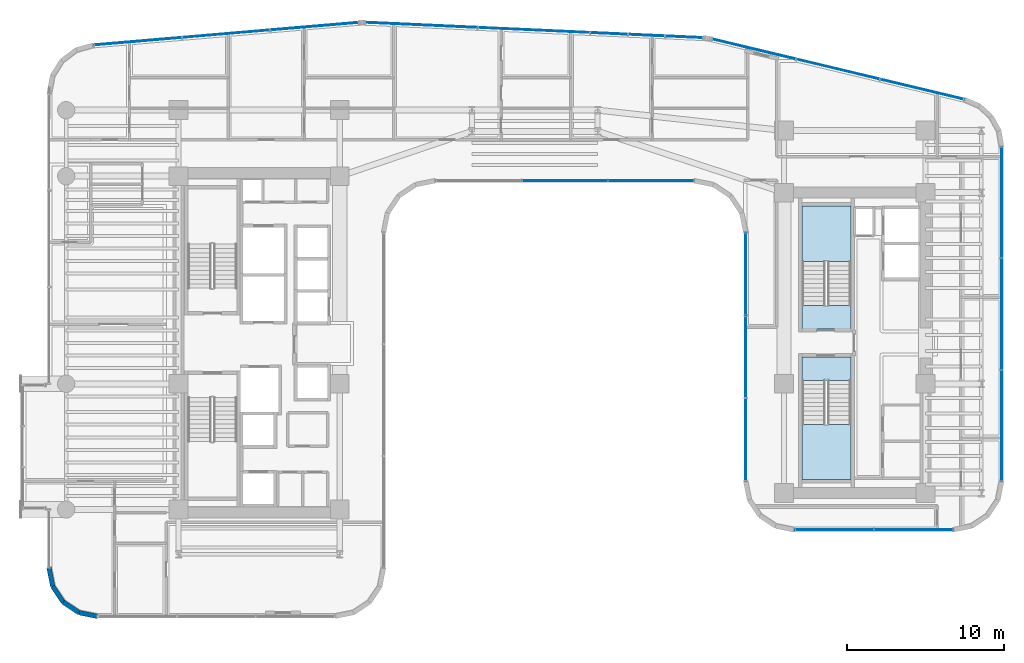
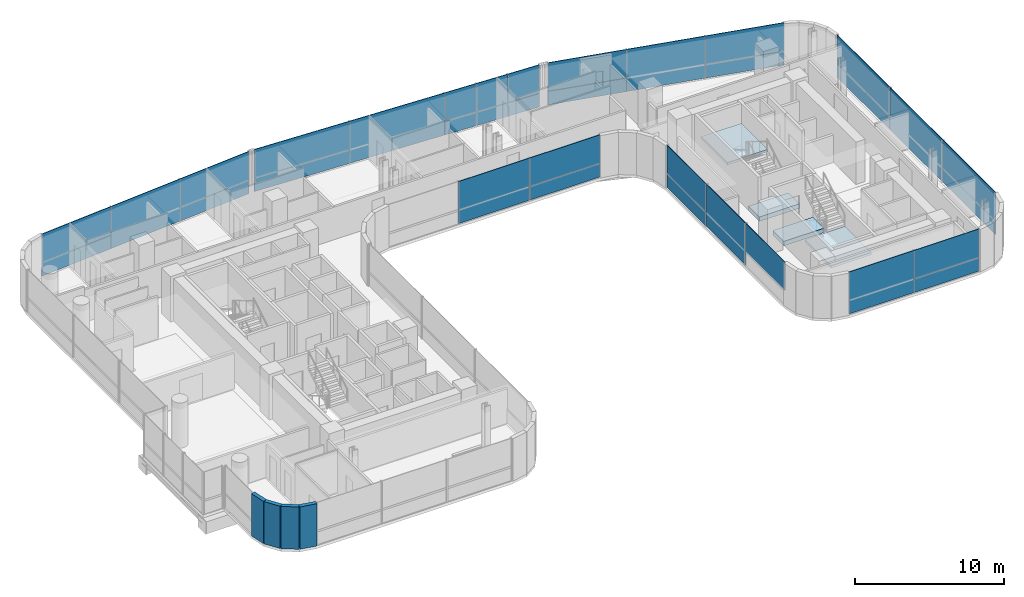
# One storey, part 27 of 38: 34 plates, 4 slabs, 4 walls, 9 elements without a shape of their own.
"""IFC4 building model written with IfcOpenShell, lengths in metres."""

from ifc_helpers import new_model, si_unit, direction, frame, frame_2d, origin, origin_2d, place, context, subcontext, project, spatial, polyline, rectangle, outline, extrude, source, transform, mapped, material, layer, layer_set, type_object, element, aggregate, save


model = new_model("IFC4")

# Units and contexts
model_context = context("Model", 3, precision=1e-05, world=origin(), true_north=direction((0.0, 1.0)))
body_context = subcontext(model_context, "Body", "Model", "MODEL_VIEW")
ifc_project = project(units=[si_unit("LENGTHUNIT", "METRE"), si_unit("AREAUNIT", "SQUARE_METRE"), si_unit("VOLUMEUNIT", "CUBIC_METRE"), si_unit("PLANEANGLEUNIT", "RADIAN"), si_unit("MASSUNIT", "GRAM", prefix="KILO")], contexts=[model_context])

# Site, building, storey
site_placement = place(None, origin())
site = spatial("IfcSite", under=ifc_project, at=site_placement, CompositionType="ELEMENT")
building_placement = place(site_placement, origin())
building = spatial("IfcBuilding", under=site, at=building_placement, Name="Valdorenza Pilgrim Sanctuary Tower", CompositionType="ELEMENT")
storey_placement = place(building_placement, frame((0.0, 0.0, 131.60009765625)))
storey = spatial("IfcBuildingStorey", under=building, at=storey_placement, Name="L33", CompositionType="ELEMENT", Elevation=131.60009765625)

# Stair, slab
ifc_material_1 = material(Name="Concrete C40/50", Category="concrete")
stair_type = type_object("IfcStairType", Name="STR-DOG-CORE", PredefinedType="HALF_TURN_STAIR", material=ifc_material_1)
stair_1_placement = place(storey_placement, origin())
stair_1 = element("IfcStair", 1, at=stair_1_placement, inside=storey, type_object=stair_type, Name="L33 ST-B1", PredefinedType="HALF_TURN_STAIR")
ifc_layer_1 = layer(ifc_material_1, 0.199951171875, Name="Concrete C40/50")
ifc_layer_set_1 = layer_set([ifc_layer_1], Name="Concrete C40/50")
slab_type_1 = type_object("IfcSlabType", Name="SLAB-STL-200", PredefinedType="LANDING", material=ifc_layer_set_1)
slab_1_placement = place(storey_placement, frame((0.0, 0.0, 1.64990234375)))
slab_1 = element("IfcSlab", 2, at=slab_1_placement, type_object=slab_type_1, Name="ST-B1 landing 1", PredefinedType="LANDING", context=body_context, shape_type="SweptSolid", body=[
    extrude(outline(polyline([(20.110107421875, 5.179931640625), (20.110107421875, 8.699951171875), (17.0, 8.699951171875), (17.0, 5.179931640625), (20.110107421875, 5.179931640625)])), origin(), (0.0, 0.0, 1.0), 0.199951171875),
])
aggregate(stair_1, [slab_1])

stair_2_placement = place(storey_placement, origin())
stair_2 = element("IfcStair", 3, at=stair_2_placement, inside=storey, type_object=stair_type, Name="L33 ST-B2", PredefinedType="HALF_TURN_STAIR")
slab_2_placement = place(storey_placement, frame((0.0, 0.0, 1.64990234375)))
slab_2 = element("IfcSlab", 4, at=slab_2_placement, type_object=slab_type_1, Name="ST-B2 landing 1", PredefinedType="LANDING", context=body_context, shape_type="SweptSolid", body=[
    extrude(outline(polyline([(17.0, -5.179931640625), (17.0, -8.699951171875), (20.110107421875, -8.699951171875), (20.110107421875, -5.179931640625), (17.0, -5.179931640625)])), origin(), (0.0, 0.0, 1.0), 0.199951171875),
])
aggregate(stair_2, [slab_2])

# Slabs
ifc_material_2 = material(Name="Concrete C50/60", Category="concrete")
ifc_layer_2 = layer(ifc_material_2, 0.39990234375, Name="Concrete C50/60")
ifc_layer_set_2 = layer_set([ifc_layer_2], Name="Concrete C50/60")
slab_type_2 = type_object("IfcSlabType", Name="SLAB-TRF-400", PredefinedType="FLOOR", material=ifc_layer_set_2)
slab_3_placement = place(storey_placement, frame((0.0, 0.0, -0.360107421875)))
element("IfcSlab", 5, at=slab_3_placement, inside=storey, type_object=slab_type_2, Name="L33 ST-B1 Structural Stair Landing Bearing Slab", PredefinedType="FLOOR", context=body_context, shape_type="SweptSolid", body=[
    extrude(outline(polyline([(17.0, 0.89990234375), (20.110107421875, 0.89990234375), (20.110107421875, 2.385009765625), (17.0, 2.385009765625), (17.0, 0.89990234375)])), origin(), (0.0, 0.0, 1.0), 0.360107421875),
])
slab_4_placement = place(storey_placement, frame((0.0, 0.0, -0.360107421875)))
element("IfcSlab", 6, at=slab_4_placement, inside=storey, type_object=slab_type_2, Name="L33 ST-B2 Structural Stair Landing Bearing Slab", PredefinedType="FLOOR", context=body_context, shape_type="SweptSolid", body=[
    extrude(outline(polyline([(17.0, -2.385009765625), (20.110107421875, -2.385009765625), (20.110107421875, -0.89990234375), (17.0, -0.89990234375), (17.0, -2.385009765625)])), origin(), (0.0, 0.0, 1.0), 0.360107421875),
])

# Curtain wall, plates
ifc_material_3 = material(Name="Curtain-wall IGU glazing", Category="glass")
curtain_wall_type_1 = type_object("IfcCurtainWallType", Name="CW-SYS-02", PredefinedType="NOTDEFINED", material=ifc_material_3)
curtain_wall_1_placement = place(storey_placement, origin())
curtain_wall_1 = element("IfcCurtainWall", 7, at=curtain_wall_1_placement, inside=storey, type_object=curtain_wall_type_1, Name="L33 Curtain Wall CW-L33-1-36", PredefinedType="NOTDEFINED")
ifc_material_4 = material(Name="Honed travertine limestone", Category="masonry")
ifc_layer_3 = layer(ifc_material_4, 0.050048828125, Name="Honed travertine limestone")
ifc_layer_set_3 = layer_set([ifc_layer_3], Name="Honed travertine limestone")
plate_type_1 = type_object("IfcPlateType", Name="CW-SPN-TRV", PredefinedType="USERDEFINED", material=ifc_layer_set_3)
shared_shape_1 = source(origin(), body_context, "Body", "SweptSolid", [
    extrude(rectangle(XDim=5.453857421875, YDim=0.06005859375, at=origin_2d()), origin(), (0.0, 0.0, 1.0), 1.10009765625),
])
plate_1_placement = place(storey_placement, frame((7.373779296875, 10.31005859375, 0.009765625), z_axis=(0.0, 0.0, 1.0), x_axis=(-1.0, 0.0, 0.0)))
plate_1 = element("IfcPlate", 8, at=plate_1_placement, type_object=plate_type_1, Name="CW-L33-1-36 Travertine Spandrel 1", ObjectType="SPANDREL", PredefinedType="USERDEFINED", context=body_context, shape_type="MappedRepresentation", body=[
    mapped(shared_shape_1, transform((0.0, 0.0, 0.0), x_axis=(1.0, 0.0, 0.0), y_axis=(0.0, 1.0, 0.0), z_axis=(0.0, 0.0, 1.0), scale=1.0)),
])
ifc_material_5 = material(Name="Ceramic-fritted low-E IGU glazing", Category="glass")
ifc_layer_4 = layer(ifc_material_5, 0.035888671875, Name="Ceramic-fritted low-E IGU glazing")
ifc_layer_set_4 = layer_set([ifc_layer_4], Name="Ceramic-fritted low-E IGU glazing")
plate_type_2 = type_object("IfcPlateType", Name="CW-GLZ-IGU", PredefinedType="USERDEFINED", material=ifc_layer_set_4)
shared_shape_2 = source(origin(), body_context, "Body", "SweptSolid", [
    extrude(rectangle(XDim=5.453857421875, YDim=0.050048828125, at=origin_2d()), origin(), (0.0, 0.0, 1.0), 2.320068359375),
])
plate_2_placement = place(storey_placement, frame((7.373779296875, 10.31005859375, 1.1298828125), z_axis=(0.0, 0.0, 1.0), x_axis=(-1.0, 0.0, 0.0)))
plate_2 = element("IfcPlate", 9, at=plate_2_placement, type_object=plate_type_2, Name="CW-L33-1-36 Facade Panel 1", ObjectType="GLAZING", PredefinedType="USERDEFINED", context=body_context, shape_type="MappedRepresentation", body=[
    mapped(shared_shape_2, transform((0.0, 0.0, 0.0), x_axis=(1.0, 0.0, 0.0), y_axis=(0.0, 1.0, 0.0), z_axis=(0.0, 0.0, 1.0), scale=1.0)),
])
shared_shape_3 = source(origin(), body_context, "Body", "SweptSolid", [
    extrude(rectangle(XDim=5.453857421875, YDim=0.050048828125, at=origin_2d()), origin(), (0.0, 0.0, 1.0), 3.43994140625),
])
plate_3_placement = place(storey_placement, frame((1.89990234375, 10.31005859375, 0.010009765625), z_axis=(0.0, 0.0, 1.0), x_axis=(-1.0, 0.0, 0.0)))
plate_3 = element("IfcPlate", 10, at=plate_3_placement, type_object=plate_type_2, Name="CW-L33-1-36 Full-Height Facade Panel 2", ObjectType="GLAZING", PredefinedType="USERDEFINED", context=body_context, shape_type="MappedRepresentation", body=[
    mapped(shared_shape_3, transform((0.0, 0.0, 0.0), x_axis=(1.0, 0.0, 0.0), y_axis=(0.0, 1.0, 0.0), z_axis=(0.0, 0.0, 1.0), scale=1.0)),
])
aggregate(curtain_wall_1, [plate_1, plate_2, plate_3])

curtain_wall_2_placement = place(storey_placement, origin())
curtain_wall_2 = element("IfcCurtainWall", 11, at=curtain_wall_2_placement, inside=storey, type_object=curtain_wall_type_1, Name="L33 Curtain Wall CW-L33-1-6", PredefinedType="NOTDEFINED")
shared_shape_4 = source(origin(), body_context, "Body", "SweptSolid", [
    extrude(rectangle(XDim=5.61767578125, YDim=0.06005859375, at=origin_2d()), origin(), (0.0, 0.0, 1.0), 1.10009765625),
])
plate_4_placement = place(storey_placement, frame((-25.242919921875, 19.178955078125, 0.009765625), z_axis=(0.0, 0.0, 1.0), x_axis=(0.99640764237, 0.084686541006, 0.0)))
plate_4 = element("IfcPlate", 12, at=plate_4_placement, type_object=plate_type_1, Name="CW-L33-1-6 Travertine Spandrel 1", ObjectType="SPANDREL", PredefinedType="USERDEFINED", context=body_context, shape_type="MappedRepresentation", body=[
    mapped(shared_shape_4, transform((0.0, 0.0, 0.0), x_axis=(1.0, 0.0, 0.0), y_axis=(0.0, 1.0, 0.0), z_axis=(0.0, 0.0, 1.0), scale=1.0)),
])
plate_5_placement = place(storey_placement, frame((-14.008056640625, 20.1337890625, 0.009765625), z_axis=(0.0, 0.0, 1.0), x_axis=(0.99640764237, 0.084686541006, 0.0)))
plate_5 = element("IfcPlate", 13, at=plate_5_placement, type_object=plate_type_1, Name="CW-L33-1-6 Travertine Spandrel 3", ObjectType="SPANDREL", PredefinedType="USERDEFINED", context=body_context, shape_type="MappedRepresentation", body=[
    mapped(shared_shape_4, transform((0.0, 0.0, 0.0), x_axis=(1.0, 0.0, 0.0), y_axis=(0.0, 1.0, 0.0), z_axis=(0.0, 0.0, 1.0), scale=1.0)),
])

# Curtain wall, plate
curtain_wall_3_placement = place(storey_placement, origin())
curtain_wall_3 = element("IfcCurtainWall", 14, at=curtain_wall_3_placement, inside=storey, type_object=curtain_wall_type_1, Name="L33 Curtain Wall CW-L33-1-11", PredefinedType="NOTDEFINED")
shared_shape_5 = source(origin(), body_context, "Body", "SweptSolid", [
    extrude(rectangle(XDim=7.1494140625, YDim=0.06005859375, at=origin_2d()), origin(), (0.0, 0.0, 1.0), 1.10009765625),
])
plate_6_placement = place(storey_placement, frame((-7.21484375, 20.2177734375, 0.009765625), z_axis=(0.0, 0.0, 1.0), x_axis=(0.998968193221, -0.045415294044, 0.0)))
plate_6 = element("IfcPlate", 15, at=plate_6_placement, type_object=plate_type_1, Name="CW-L33-1-11 Travertine Spandrel 1", ObjectType="SPANDREL", PredefinedType="USERDEFINED", context=body_context, shape_type="MappedRepresentation", body=[
    mapped(shared_shape_5, transform((0.0, 0.0, 0.0), x_axis=(1.0, 0.0, 0.0), y_axis=(0.0, 1.0, 0.0), z_axis=(0.0, 0.0, 1.0), scale=1.0)),
])

# Curtain wall, plates
curtain_wall_type_2 = type_object("IfcCurtainWallType", Name="CW-SYS-03", PredefinedType="NOTDEFINED", material=ifc_material_3)
curtain_wall_4_placement = place(storey_placement, origin())
curtain_wall_4 = element("IfcCurtainWall", 16, at=curtain_wall_4_placement, inside=storey, type_object=curtain_wall_type_2, Name="L33 Curtain Wall CW-L33-1-16", PredefinedType="NOTDEFINED")
shared_shape_6 = source(origin(), body_context, "Body", "SweptSolid", [
    extrude(rectangle(XDim=5.477294921875, YDim=0.06005859375, at=origin_2d()), origin(), (0.0, 0.0, 1.0), 1.10009765625),
])
plate_7_placement = place(storey_placement, frame((13.944580078125, 18.68212890625, 0.009765625), z_axis=(0.0, 0.0, 1.0), x_axis=(0.972528596343, -0.232783438617, 0.0)))
plate_7 = element("IfcPlate", 17, at=plate_7_placement, type_object=plate_type_1, Name="CW-L33-1-16 Travertine Spandrel 1", ObjectType="SPANDREL", PredefinedType="USERDEFINED", context=body_context, shape_type="MappedRepresentation", body=[
    mapped(shared_shape_6, transform((0.0, 0.0, 0.0), x_axis=(1.0, 0.0, 0.0), y_axis=(0.0, 1.0, 0.0), z_axis=(0.0, 0.0, 1.0), scale=1.0)),
])
plate_8_placement = place(storey_placement, frame((24.63720703125, 16.122802734375, 0.009765625), z_axis=(0.0, 0.0, 1.0), x_axis=(0.972528596343, -0.232783438617, 0.0)))
plate_8 = element("IfcPlate", 18, at=plate_8_placement, type_object=plate_type_1, Name="CW-L33-1-16 Travertine Spandrel 3", ObjectType="SPANDREL", PredefinedType="USERDEFINED", context=body_context, shape_type="MappedRepresentation", body=[
    mapped(shared_shape_6, transform((0.0, 0.0, 0.0), x_axis=(1.0, 0.0, 0.0), y_axis=(0.0, 1.0, 0.0), z_axis=(0.0, 0.0, 1.0), scale=1.0)),
])

curtain_wall_5_placement = place(storey_placement, origin())
curtain_wall_5 = element("IfcCurtainWall", 19, at=curtain_wall_5_placement, inside=storey, type_object=curtain_wall_type_2, Name="L33 Curtain Wall CW-L33-1-21", PredefinedType="NOTDEFINED")
shared_shape_7 = source(origin(), body_context, "Body", "SweptSolid", [
    extrude(rectangle(XDim=7.065185546875, YDim=0.06005859375, at=origin_2d()), origin(), (0.0, 0.0, 1.0), 1.10009765625),
])
plate_9_placement = place(storey_placement, frame((29.68994140625, 8.923828125, 0.009765625), z_axis=(0.0, 0.0, 1.0), x_axis=(0.0, -1.0, 0.0)))
plate_9 = element("IfcPlate", 20, at=plate_9_placement, type_object=plate_type_1, Name="CW-L33-1-21 Travertine Spandrel 1", ObjectType="SPANDREL", PredefinedType="USERDEFINED", context=body_context, shape_type="MappedRepresentation", body=[
    mapped(shared_shape_7, transform((0.0, 0.0, 0.0), x_axis=(1.0, 0.0, 0.0), y_axis=(0.0, 1.0, 0.0), z_axis=(0.0, 0.0, 1.0), scale=1.0)),
])
plate_10_placement = place(storey_placement, frame((29.68994140625, -5.24658203125, 0.009765625), z_axis=(0.0, 0.0, 1.0), x_axis=(0.0, -1.0, 0.0)))
plate_10 = element("IfcPlate", 21, at=plate_10_placement, type_object=plate_type_1, Name="CW-L33-1-21 Travertine Spandrel 3", ObjectType="SPANDREL", PredefinedType="USERDEFINED", context=body_context, shape_type="MappedRepresentation", body=[
    mapped(shared_shape_7, transform((0.0, 0.0, 0.0), x_axis=(1.0, 0.0, 0.0), y_axis=(0.0, 1.0, 0.0), z_axis=(0.0, 0.0, 1.0), scale=1.0)),
])

# Curtain wall, plate
curtain_wall_6_placement = place(storey_placement, origin())
curtain_wall_6 = element("IfcCurtainWall", 22, at=curtain_wall_6_placement, inside=storey, type_object=curtain_wall_type_2, Name="L33 Curtain Wall CW-L33-1-26", PredefinedType="NOTDEFINED")
shared_shape_8 = source(origin(), body_context, "Body", "SweptSolid", [
    extrude(rectangle(XDim=5.019287109375, YDim=0.06005859375, at=origin_2d()), origin(), (0.0, 0.0, 1.0), 1.10009765625),
])
plate_11_placement = place(storey_placement, frame((24.069580078125, -11.889892578125, 0.009765625), z_axis=(0.0, 0.0, 1.0), x_axis=(-1.0, 0.0, 0.0)))
plate_11 = element("IfcPlate", 23, at=plate_11_placement, type_object=plate_type_1, Name="CW-L33-1-26 Travertine Spandrel 1", ObjectType="SPANDREL", PredefinedType="USERDEFINED", context=body_context, shape_type="MappedRepresentation", body=[
    mapped(shared_shape_8, transform((0.0, 0.0, 0.0), x_axis=(1.0, 0.0, 0.0), y_axis=(0.0, 1.0, 0.0), z_axis=(0.0, 0.0, 1.0), scale=1.0)),
])

curtain_wall_7_placement = place(storey_placement, origin())
curtain_wall_7 = element("IfcCurtainWall", 24, at=curtain_wall_7_placement, inside=storey, type_object=curtain_wall_type_2, Name="L33 Curtain Wall CW-L33-1-31", PredefinedType="NOTDEFINED")
shared_shape_9 = source(origin(), body_context, "Body", "SweptSolid", [
    extrude(rectangle(XDim=5.24658203125, YDim=0.06005859375, at=origin_2d()), origin(), (0.0, 0.0, 1.0), 1.10009765625),
])
plate_12_placement = place(storey_placement, frame((13.409912109375, 4.37744140625, 0.009765625), z_axis=(0.0, 0.0, 1.0), x_axis=(0.0, 1.0, 0.0)))
plate_12 = element("IfcPlate", 25, at=plate_12_placement, type_object=plate_type_1, Name="CW-L33-1-31 Travertine Spandrel 3", ObjectType="SPANDREL", PredefinedType="USERDEFINED", context=body_context, shape_type="MappedRepresentation", body=[
    mapped(shared_shape_9, transform((0.0, 0.0, 0.0), x_axis=(1.0, 0.0, 0.0), y_axis=(0.0, 1.0, 0.0), z_axis=(0.0, 0.0, 1.0), scale=1.0)),
])

# Plate
shared_shape_10 = source(origin(), body_context, "Body", "SweptSolid", [
    extrude(rectangle(XDim=5.61767578125, YDim=0.050048828125, at=origin_2d()), origin(), (0.0, 0.0, 1.0), 3.43994140625),
])
plate_13_placement = place(storey_placement, frame((-19.62548828125, 19.656494140625, 0.010009765625), z_axis=(0.0, 0.0, 1.0), x_axis=(0.99640764237, 0.084686541006, 0.0)))
plate_13 = element("IfcPlate", 26, at=plate_13_placement, type_object=plate_type_2, Name="CW-L33-1-6 Full-Height Facade Panel 2", ObjectType="GLAZING", PredefinedType="USERDEFINED", context=body_context, shape_type="MappedRepresentation", body=[
    mapped(shared_shape_10, transform((0.0, 0.0, 0.0), x_axis=(1.0, 0.0, 0.0), y_axis=(0.0, 1.0, 0.0), z_axis=(0.0, 0.0, 1.0), scale=1.0)),
])

shared_shape_11 = source(origin(), body_context, "Body", "SweptSolid", [
    extrude(rectangle(XDim=5.61767578125, YDim=0.050048828125, at=origin_2d()), origin(), (0.0, 0.0, 1.0), 2.320068359375),
])
plate_14_placement = place(storey_placement, frame((-25.242919921875, 19.178955078125, 1.1298828125), z_axis=(0.0, 0.0, 1.0), x_axis=(0.99640764237, 0.084686541006, 0.0)))
plate_14 = element("IfcPlate", 27, at=plate_14_placement, type_object=plate_type_2, Name="CW-L33-1-6 Facade Panel 1", ObjectType="GLAZING", PredefinedType="USERDEFINED", context=body_context, shape_type="MappedRepresentation", body=[
    mapped(shared_shape_11, transform((0.0, 0.0, 0.0), x_axis=(1.0, 0.0, 0.0), y_axis=(0.0, 1.0, 0.0), z_axis=(0.0, 0.0, 1.0), scale=1.0)),
])

plate_15_placement = place(storey_placement, frame((-14.008056640625, 20.1337890625, 1.1298828125), z_axis=(0.0, 0.0, 1.0), x_axis=(0.99640764237, 0.084686541006, 0.0)))
plate_15 = element("IfcPlate", 28, at=plate_15_placement, type_object=plate_type_2, Name="CW-L33-1-6 Facade Panel 3", ObjectType="GLAZING", PredefinedType="USERDEFINED", context=body_context, shape_type="MappedRepresentation", body=[
    mapped(shared_shape_11, transform((0.0, 0.0, 0.0), x_axis=(1.0, 0.0, 0.0), y_axis=(0.0, 1.0, 0.0), z_axis=(0.0, 0.0, 1.0), scale=1.0)),
])

aggregate(curtain_wall_2, [plate_4, plate_14, plate_13, plate_5, plate_15])

shared_shape_12 = source(origin(), body_context, "Body", "SweptSolid", [
    extrude(rectangle(XDim=7.1494140625, YDim=0.050048828125, at=origin_2d()), origin(), (0.0, 0.0, 1.0), 3.43994140625),
])
plate_16_placement = place(storey_placement, frame((-0.052978515625, 19.892333984375, 0.010009765625), z_axis=(0.0, 0.0, 1.0), x_axis=(0.998968193221, -0.045415294044, 0.0)))
plate_16 = element("IfcPlate", 29, at=plate_16_placement, type_object=plate_type_2, Name="CW-L33-1-11 Full-Height Facade Panel 2", ObjectType="GLAZING", PredefinedType="USERDEFINED", context=body_context, shape_type="MappedRepresentation", body=[
    mapped(shared_shape_12, transform((0.0, 0.0, 0.0), x_axis=(1.0, 0.0, 0.0), y_axis=(0.0, 1.0, 0.0), z_axis=(0.0, 0.0, 1.0), scale=1.0)),
])

shared_shape_13 = source(origin(), body_context, "Body", "SweptSolid", [
    extrude(rectangle(XDim=7.1494140625, YDim=0.050048828125, at=origin_2d()), origin(), (0.0, 0.0, 1.0), 2.320068359375),
])
plate_17_placement = place(storey_placement, frame((-7.21484375, 20.2177734375, 1.1298828125), z_axis=(0.0, 0.0, 1.0), x_axis=(0.998968193221, -0.045415294044, 0.0)))
plate_17 = element("IfcPlate", 30, at=plate_17_placement, type_object=plate_type_2, Name="CW-L33-1-11 Facade Panel 1", ObjectType="GLAZING", PredefinedType="USERDEFINED", context=body_context, shape_type="MappedRepresentation", body=[
    mapped(shared_shape_13, transform((0.0, 0.0, 0.0), x_axis=(1.0, 0.0, 0.0), y_axis=(0.0, 1.0, 0.0), z_axis=(0.0, 0.0, 1.0), scale=1.0)),
])

shared_shape_14 = source(origin(), body_context, "Body", "SweptSolid", [
    extrude(rectangle(XDim=5.477294921875, YDim=0.050048828125, at=origin_2d()), origin(), (0.0, 0.0, 1.0), 3.43994140625),
])
plate_18_placement = place(storey_placement, frame((19.291015625, 17.40234375, 0.010009765625), z_axis=(0.0, 0.0, 1.0), x_axis=(0.972528596343, -0.232783438617, 0.0)))
plate_18 = element("IfcPlate", 31, at=plate_18_placement, type_object=plate_type_2, Name="CW-L33-1-16 Full-Height Facade Panel 2", ObjectType="GLAZING", PredefinedType="USERDEFINED", context=body_context, shape_type="MappedRepresentation", body=[
    mapped(shared_shape_14, transform((0.0, 0.0, 0.0), x_axis=(1.0, 0.0, 0.0), y_axis=(0.0, 1.0, 0.0), z_axis=(0.0, 0.0, 1.0), scale=1.0)),
])

shared_shape_15 = source(origin(), body_context, "Body", "SweptSolid", [
    extrude(rectangle(XDim=5.477294921875, YDim=0.050048828125, at=origin_2d()), origin(), (0.0, 0.0, 1.0), 2.320068359375),
])
plate_19_placement = place(storey_placement, frame((13.944580078125, 18.68212890625, 1.1298828125), z_axis=(0.0, 0.0, 1.0), x_axis=(0.972528596343, -0.232783438617, 0.0)))
plate_19 = element("IfcPlate", 32, at=plate_19_placement, type_object=plate_type_2, Name="CW-L33-1-16 Facade Panel 1", ObjectType="GLAZING", PredefinedType="USERDEFINED", context=body_context, shape_type="MappedRepresentation", body=[
    mapped(shared_shape_15, transform((0.0, 0.0, 0.0), x_axis=(1.0, 0.0, 0.0), y_axis=(0.0, 1.0, 0.0), z_axis=(0.0, 0.0, 1.0), scale=1.0)),
])

plate_20_placement = place(storey_placement, frame((24.63720703125, 16.122802734375, 1.1298828125), z_axis=(0.0, 0.0, 1.0), x_axis=(0.972528596343, -0.232783438617, 0.0)))
plate_20 = element("IfcPlate", 33, at=plate_20_placement, type_object=plate_type_2, Name="CW-L33-1-16 Facade Panel 3", ObjectType="GLAZING", PredefinedType="USERDEFINED", context=body_context, shape_type="MappedRepresentation", body=[
    mapped(shared_shape_15, transform((0.0, 0.0, 0.0), x_axis=(1.0, 0.0, 0.0), y_axis=(0.0, 1.0, 0.0), z_axis=(0.0, 0.0, 1.0), scale=1.0)),
])

aggregate(curtain_wall_4, [plate_7, plate_19, plate_18, plate_8, plate_20])

shared_shape_16 = source(origin(), body_context, "Body", "SweptSolid", [
    extrude(rectangle(XDim=7.065185546875, YDim=0.050048828125, at=origin_2d()), origin(), (0.0, 0.0, 1.0), 2.320068359375),
])
plate_21_placement = place(storey_placement, frame((29.68994140625, 8.923828125, 1.1298828125), z_axis=(0.0, 0.0, 1.0), x_axis=(0.0, -1.0, 0.0)))
plate_21 = element("IfcPlate", 34, at=plate_21_placement, type_object=plate_type_2, Name="CW-L33-1-21 Facade Panel 1", ObjectType="GLAZING", PredefinedType="USERDEFINED", context=body_context, shape_type="MappedRepresentation", body=[
    mapped(shared_shape_16, transform((0.0, 0.0, 0.0), x_axis=(1.0, 0.0, 0.0), y_axis=(0.0, 1.0, 0.0), z_axis=(0.0, 0.0, 1.0), scale=1.0)),
])

plate_22_placement = place(storey_placement, frame((29.68994140625, -5.24658203125, 1.1298828125), z_axis=(0.0, 0.0, 1.0), x_axis=(0.0, -1.0, 0.0)))
plate_22 = element("IfcPlate", 35, at=plate_22_placement, type_object=plate_type_2, Name="CW-L33-1-21 Facade Panel 3", ObjectType="GLAZING", PredefinedType="USERDEFINED", context=body_context, shape_type="MappedRepresentation", body=[
    mapped(shared_shape_16, transform((0.0, 0.0, 0.0), x_axis=(1.0, 0.0, 0.0), y_axis=(0.0, 1.0, 0.0), z_axis=(0.0, 0.0, 1.0), scale=1.0)),
])

shared_shape_17 = source(origin(), body_context, "Body", "SweptSolid", [
    extrude(rectangle(XDim=7.065185546875, YDim=0.050048828125, at=origin_2d()), origin(), (0.0, 0.0, 1.0), 3.43994140625),
])
plate_23_placement = place(storey_placement, frame((29.68994140625, 1.838623046875, 0.010009765625), z_axis=(0.0, 0.0, 1.0), x_axis=(0.0, -1.0, 0.0)))
plate_23 = element("IfcPlate", 36, at=plate_23_placement, type_object=plate_type_2, Name="CW-L33-1-21 Full-Height Facade Panel 2", ObjectType="GLAZING", PredefinedType="USERDEFINED", context=body_context, shape_type="MappedRepresentation", body=[
    mapped(shared_shape_17, transform((0.0, 0.0, 0.0), x_axis=(1.0, 0.0, 0.0), y_axis=(0.0, 1.0, 0.0), z_axis=(0.0, 0.0, 1.0), scale=1.0)),
])

aggregate(curtain_wall_5, [plate_9, plate_21, plate_23, plate_10, plate_22])

shared_shape_18 = source(origin(), body_context, "Body", "SweptSolid", [
    extrude(rectangle(XDim=5.019287109375, YDim=0.050048828125, at=origin_2d()), origin(), (0.0, 0.0, 1.0), 2.320068359375),
])
plate_24_placement = place(storey_placement, frame((24.069580078125, -11.889892578125, 1.1298828125), z_axis=(0.0, 0.0, 1.0), x_axis=(-1.0, 0.0, 0.0)))
plate_24 = element("IfcPlate", 37, at=plate_24_placement, type_object=plate_type_2, Name="CW-L33-1-26 Facade Panel 1", ObjectType="GLAZING", PredefinedType="USERDEFINED", context=body_context, shape_type="MappedRepresentation", body=[
    mapped(shared_shape_18, transform((0.0, 0.0, 0.0), x_axis=(1.0, 0.0, 0.0), y_axis=(0.0, 1.0, 0.0), z_axis=(0.0, 0.0, 1.0), scale=1.0)),
])

shared_shape_19 = source(origin(), body_context, "Body", "SweptSolid", [
    extrude(rectangle(XDim=5.019287109375, YDim=0.050048828125, at=origin_2d()), origin(), (0.0, 0.0, 1.0), 3.43994140625),
])
plate_25_placement = place(storey_placement, frame((19.030517578125, -11.889892578125, 0.010009765625), z_axis=(0.0, 0.0, 1.0), x_axis=(-1.0, 0.0, 0.0)))
plate_25 = element("IfcPlate", 38, at=plate_25_placement, type_object=plate_type_2, Name="CW-L33-1-26 Full-Height Facade Panel 2", ObjectType="GLAZING", PredefinedType="USERDEFINED", context=body_context, shape_type="MappedRepresentation", body=[
    mapped(shared_shape_19, transform((0.0, 0.0, 0.0), x_axis=(1.0, 0.0, 0.0), y_axis=(0.0, 1.0, 0.0), z_axis=(0.0, 0.0, 1.0), scale=1.0)),
])

aggregate(curtain_wall_6, [plate_11, plate_24, plate_25])

shared_shape_20 = source(origin(), body_context, "Body", "SweptSolid", [
    extrude(rectangle(XDim=5.24658203125, YDim=0.050048828125, at=origin_2d()), origin(), (0.0, 0.0, 1.0), 2.320068359375),
])
plate_26_placement = place(storey_placement, frame((13.409912109375, -6.156005859375, 1.1298828125), z_axis=(0.0, 0.0, 1.0), x_axis=(0.0, 1.0, 0.0)))
plate_26 = element("IfcPlate", 39, at=plate_26_placement, type_object=plate_type_2, Name="CW-L33-1-31 Facade Panel 1", ObjectType="GLAZING", PredefinedType="USERDEFINED", context=body_context, shape_type="MappedRepresentation", body=[
    mapped(shared_shape_20, transform((0.0, 0.0, 0.0), x_axis=(1.0, 0.0, 0.0), y_axis=(0.0, 1.0, 0.0), z_axis=(0.0, 0.0, 1.0), scale=1.0)),
])

plate_27_placement = place(storey_placement, frame((13.409912109375, 4.37744140625, 1.1298828125), z_axis=(0.0, 0.0, 1.0), x_axis=(0.0, 1.0, 0.0)))
plate_27 = element("IfcPlate", 40, at=plate_27_placement, type_object=plate_type_2, Name="CW-L33-1-31 Facade Panel 3", ObjectType="GLAZING", PredefinedType="USERDEFINED", context=body_context, shape_type="MappedRepresentation", body=[
    mapped(shared_shape_20, transform((0.0, 0.0, 0.0), x_axis=(1.0, 0.0, 0.0), y_axis=(0.0, 1.0, 0.0), z_axis=(0.0, 0.0, 1.0), scale=1.0)),
])

shared_shape_21 = source(origin(), body_context, "Body", "SweptSolid", [
    extrude(rectangle(XDim=5.24658203125, YDim=0.050048828125, at=origin_2d()), origin(), (0.0, 0.0, 1.0), 3.43994140625),
])
plate_28_placement = place(storey_placement, frame((13.409912109375, -0.88916015625, 0.010009765625), z_axis=(0.0, 0.0, 1.0), x_axis=(0.0, 1.0, 0.0)))
plate_28 = element("IfcPlate", 41, at=plate_28_placement, type_object=plate_type_2, Name="CW-L33-1-31 Full-Height Facade Panel 2", ObjectType="GLAZING", PredefinedType="USERDEFINED", context=body_context, shape_type="MappedRepresentation", body=[
    mapped(shared_shape_21, transform((0.0, 0.0, 0.0), x_axis=(1.0, 0.0, 0.0), y_axis=(0.0, 1.0, 0.0), z_axis=(0.0, 0.0, 1.0), scale=1.0)),
])

aggregate(curtain_wall_7, [plate_26, plate_28, plate_12, plate_27])

shared_shape_22 = source(origin(), body_context, "Body", "SweptSolid", [
    extrude(rectangle(XDim=2.363037109375, YDim=0.050048828125, at=origin_2d()), origin(), (0.0, 0.0, 1.0), 2.320068359375),
])
plate_29_placement = place(storey_placement, frame((4.728515625, 19.675048828125, 1.1298828125), z_axis=(0.0, 0.0, 1.0), x_axis=(0.998968193221, -0.045415294044, 0.0)))
plate_29 = element("IfcPlate", 42, at=plate_29_placement, type_object=plate_type_2, Name="CW-L33-1-11 Facade Panel 3 Sub 1", ObjectType="GLAZING", PredefinedType="USERDEFINED", context=body_context, shape_type="MappedRepresentation", body=[
    mapped(shared_shape_22, transform((0.0, 0.0, 0.0), x_axis=(1.0, 0.0, 0.0), y_axis=(0.0, 1.0, 0.0), z_axis=(0.0, 0.0, 1.0), scale=1.0)),
])

plate_30_placement = place(storey_placement, frame((7.10888671875, 19.56689453125, 1.1298828125), z_axis=(0.0, 0.0, 1.0), x_axis=(0.998968193221, -0.045415294044, 0.0)))
plate_30 = element("IfcPlate", 43, at=plate_30_placement, type_object=plate_type_2, Name="CW-L33-1-11 Facade Panel 3 Sub 2", ObjectType="GLAZING", PredefinedType="USERDEFINED", context=body_context, shape_type="MappedRepresentation", body=[
    mapped(shared_shape_22, transform((0.0, 0.0, 0.0), x_axis=(1.0, 0.0, 0.0), y_axis=(0.0, 1.0, 0.0), z_axis=(0.0, 0.0, 1.0), scale=1.0)),
])

plate_31_placement = place(storey_placement, frame((9.489501953125, 19.45849609375, 1.1298828125), z_axis=(0.0, 0.0, 1.0), x_axis=(0.998968193221, -0.045415294044, 0.0)))
plate_31 = element("IfcPlate", 44, at=plate_31_placement, type_object=plate_type_2, Name="CW-L33-1-11 Facade Panel 3 Sub 3", ObjectType="GLAZING", PredefinedType="USERDEFINED", context=body_context, shape_type="MappedRepresentation", body=[
    mapped(shared_shape_22, transform((0.0, 0.0, 0.0), x_axis=(1.0, 0.0, 0.0), y_axis=(0.0, 1.0, 0.0), z_axis=(0.0, 0.0, 1.0), scale=1.0)),
])

shared_shape_23 = source(origin(), body_context, "Body", "SweptSolid", [
    extrude(rectangle(XDim=2.363037109375, YDim=0.06005859375, at=origin_2d()), origin(), (0.0, 0.0, 1.0), 1.10009765625),
])
plate_32_placement = place(storey_placement, frame((4.728515625, 19.675048828125, 0.009765625), z_axis=(0.0, 0.0, 1.0), x_axis=(0.998968193221, -0.045415294044, 0.0)))
plate_32 = element("IfcPlate", 45, at=plate_32_placement, type_object=plate_type_1, Name="CW-L33-1-11 Travertine Spandrel 3 Sub 1", ObjectType="SPANDREL", PredefinedType="USERDEFINED", context=body_context, shape_type="MappedRepresentation", body=[
    mapped(shared_shape_23, transform((0.0, 0.0, 0.0), x_axis=(1.0, 0.0, 0.0), y_axis=(0.0, 1.0, 0.0), z_axis=(0.0, 0.0, 1.0), scale=1.0)),
])

plate_33_placement = place(storey_placement, frame((7.10888671875, 19.56689453125, 0.009765625), z_axis=(0.0, 0.0, 1.0), x_axis=(0.998968193221, -0.045415294044, 0.0)))
plate_33 = element("IfcPlate", 46, at=plate_33_placement, type_object=plate_type_1, Name="CW-L33-1-11 Travertine Spandrel 3 Sub 2", ObjectType="SPANDREL", PredefinedType="USERDEFINED", context=body_context, shape_type="MappedRepresentation", body=[
    mapped(shared_shape_23, transform((0.0, 0.0, 0.0), x_axis=(1.0, 0.0, 0.0), y_axis=(0.0, 1.0, 0.0), z_axis=(0.0, 0.0, 1.0), scale=1.0)),
])

plate_34_placement = place(storey_placement, frame((9.489501953125, 19.45849609375, 0.009765625), z_axis=(0.0, 0.0, 1.0), x_axis=(0.998968193221, -0.045415294044, 0.0)))
plate_34 = element("IfcPlate", 47, at=plate_34_placement, type_object=plate_type_1, Name="CW-L33-1-11 Travertine Spandrel 3 Sub 3", ObjectType="SPANDREL", PredefinedType="USERDEFINED", context=body_context, shape_type="MappedRepresentation", body=[
    mapped(shared_shape_23, transform((0.0, 0.0, 0.0), x_axis=(1.0, 0.0, 0.0), y_axis=(0.0, 1.0, 0.0), z_axis=(0.0, 0.0, 1.0), scale=1.0)),
])

aggregate(curtain_wall_3, [plate_6, plate_17, plate_16, plate_29, plate_32, plate_30, plate_33, plate_31, plate_34])

# Walls
ifc_layer_5 = layer(ifc_material_4, 0.300048828125, Name="Honed travertine limestone")
ifc_layer_set_5 = layer_set([ifc_layer_5], Name="Honed travertine limestone")
wall_type = type_object("IfcWallType", Name="WAL-EXT-300", PredefinedType="SOLIDWALL", material=ifc_layer_set_5)
wall_1_placement = place(storey_placement, frame((-27.789306640625, -17.389892578125, 0.0), z_axis=(0.0, 0.0, 1.0), x_axis=(-0.980804027463, 0.194996050505, 0.0)))
element("IfcWall", 48, at=wall_1_placement, inside=storey, type_object=wall_type, Name="L33 Rounded Wind-Corner Stone Pier 47", PredefinedType="SOLIDWALL", context=body_context, shape_type="SweptSolid", body=[
    extrude(rectangle(XDim=1.2158203125, YDim=0.300048828125, at=frame_2d((0.60791015625, 0.0))), origin(), (0.0, 0.0, 1.0), 3.4599609375),
])
for number, where, z_axis, x_axis, name in (
    (49, (-28.981689453125, -17.15283203125, 0.0), (0.0, 0.0, 1.0), (-0.831426265255, 0.555635100982, 0.0), "L33 Rounded Wind-Corner Stone Pier 48"),
    (50, (-29.9833984375, -16.4833984375, 0.0), (0.0, 0.0, 1.0), (-0.555635100982, 0.831426265255, 0.0), "L33 Rounded Wind-Corner Stone Pier 49"),
):
    element("IfcWall", number, at=place(storey_placement, frame(where, z_axis=z_axis, x_axis=x_axis)), inside=storey, type_object=wall_type, Name=name, PredefinedType="SOLIDWALL", context=body_context, shape_type="SweptSolid", body=[
        extrude(rectangle(XDim=1.204833984375, YDim=0.300048828125, at=frame_2d((0.6025390625, 0.0))), origin(), (0.0, 0.0, 1.0), 3.4599609375),
    ])
wall_2_placement = place(storey_placement, frame((-30.65283203125, -15.481689453125, 0.0), z_axis=(0.0, 0.0, 1.0), x_axis=(-0.194996050505, 0.980804027463, 0.0)))
element("IfcWall", 51, at=wall_2_placement, inside=storey, type_object=wall_type, Name="L33 Rounded Wind-Corner Stone Pier 50", PredefinedType="SOLIDWALL", context=body_context, shape_type="SweptSolid", body=[
    extrude(rectangle(XDim=1.2158203125, YDim=0.300048828125, at=frame_2d((0.60791015625, 0.0))), origin(), (0.0, 0.0, 1.0), 3.4599609375),
])

save(model, "model.ifc")
